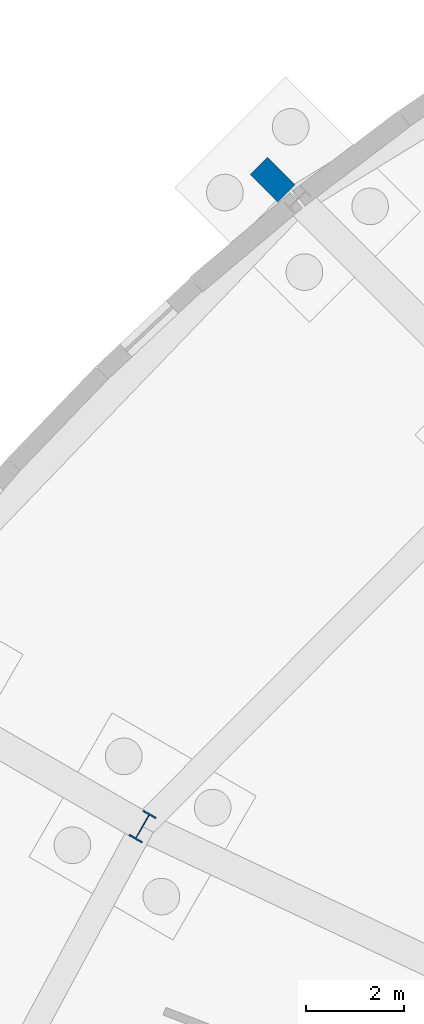
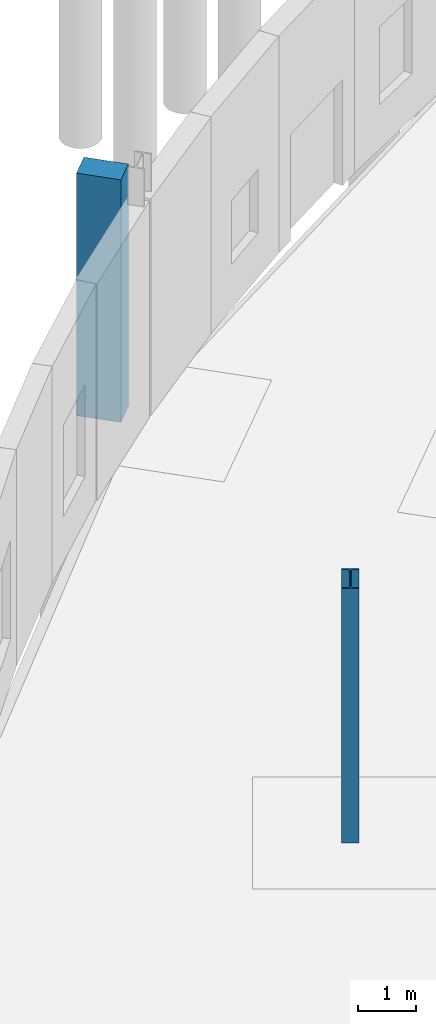
# One storey, part 26 of 118: 2 columns.
"""IFC4 building model written with IfcOpenShell, lengths in metres."""

from ifc_helpers import new_model, si_unit, direction, frame, origin, origin_2d, place, context, subcontext, project, spatial, rectangle, i_section, extrude, material, material_profile, profile_set, type_object, element, save


model = new_model("IFC4")

# Units and contexts
model_context = context("Model", 3, precision=1e-05, world=origin(), true_north=direction((0.0, 1.0)))
body_context = subcontext(model_context, "Body", "Model", "MODEL_VIEW")
ifc_project = project(units=[si_unit("LENGTHUNIT", "METRE"), si_unit("AREAUNIT", "SQUARE_METRE"), si_unit("VOLUMEUNIT", "CUBIC_METRE"), si_unit("PLANEANGLEUNIT", "RADIAN"), si_unit("MASSUNIT", "GRAM", prefix="KILO")], contexts=[model_context])

# Site, building, storey
site_placement = place(None, origin())
site = spatial("IfcSite", under=ifc_project, at=site_placement, CompositionType="ELEMENT")
building_placement = place(site_placement, origin())
building = spatial("IfcBuilding", under=site, at=building_placement, Name="Kildeholm Park Wholesale Market", CompositionType="ELEMENT")
storey_placement = place(building_placement, origin())
storey = spatial("IfcBuildingStorey", under=building, at=storey_placement, Name="L00", CompositionType="ELEMENT", Elevation=0.0)

# Columns
ifc_material_1 = material(Name="Steel S355", Category="steel")
ifc_material_profile_1 = material_profile(ifc_material_1, i_section(OverallWidth=0.300048828125, OverallDepth=0.60009765625, WebThickness=0.015380859375, FlangeThickness=0.030029296875, FilletRadius=0.027099609375, at=origin_2d()), Name="HEB 600")
ifc_profile_set_1 = profile_set([ifc_material_profile_1], Name="Steel S355")
column_type_1 = type_object("IfcColumnType", Name="Column C-S08 HEB 600", PredefinedType="COLUMN", material=ifc_profile_set_1)
column_1_placement = place(storey_placement, frame((55.52587890625, 108.85009765625, 0.0), z_axis=(0.0, 0.0, 1.0), x_axis=(-0.866025403784, 0.5, 0.0)))
element("IfcColumn", 1, at=column_1_placement, inside=storey, type_object=column_type_1, Name="Column V1-MD-10 L00 COL-0094", PredefinedType="COLUMN", context=body_context, shape_type="SweptSolid", body=[
    extrude(i_section(OverallWidth=0.300048828125, OverallDepth=0.60009765625, WebThickness=0.015380859375, FlangeThickness=0.030029296875, FilletRadius=0.027099609375, at=origin_2d()), origin(), (0.0, 0.0, 1.0), 5.39990234375),
])
ifc_material_2 = material(Name="Precast concrete C40/50", Category="concrete")
ifc_material_profile_2 = material_profile(ifc_material_2, rectangle(XDim=0.800048828125, YDim=0.5, at=origin_2d()), Name="PIL 800x500")
ifc_profile_set_2 = profile_set([ifc_material_profile_2], Name="Precast concrete C40/50")
column_type_2 = type_object("IfcColumnType", Name="Column PL-M01 PIL 800x500", PredefinedType="PILASTER", material=ifc_profile_set_2)
column_2_placement = place(storey_placement, frame((58.18701171875, 122.0791015625, 0.0), z_axis=(0.0, 0.0, 1.0), x_axis=(-0.707106781187, 0.707106781187, 0.0)))
element("IfcColumn", 2, at=column_2_placement, inside=storey, type_object=column_type_2, Name="Market ring pilaster 10 COL-0090", PredefinedType="PILASTER", context=body_context, shape_type="SweptSolid", body=[
    extrude(rectangle(XDim=0.800048828125, YDim=0.5, at=origin_2d()), origin(), (0.0, 0.0, 1.0), 5.14990234375),
])

save(model, "model.ifc")
